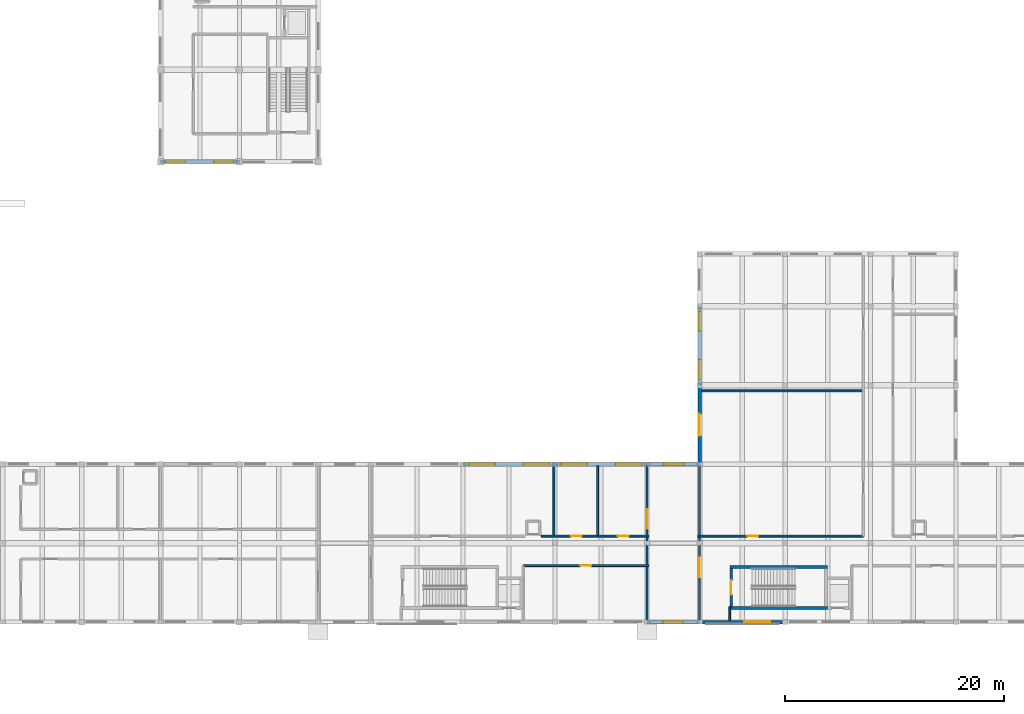
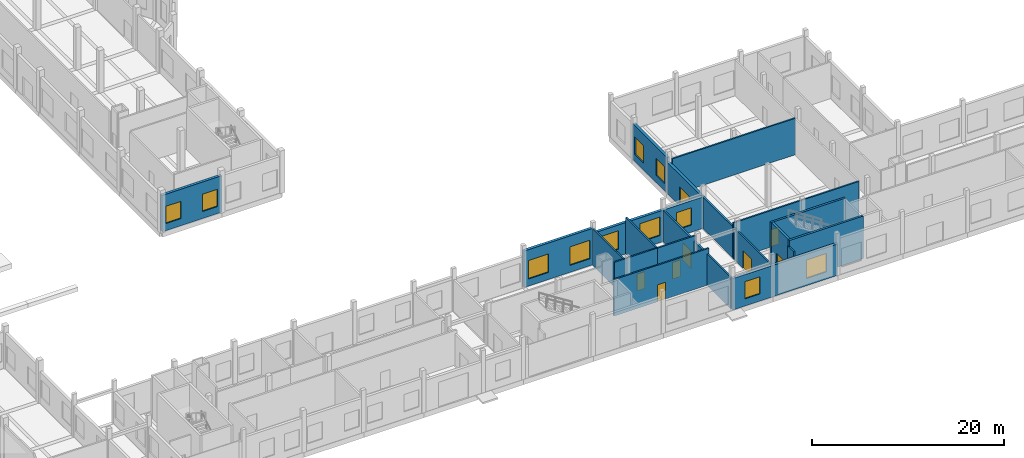
# One storey, part 20 of 41: 21 walls, 11 windows, 8 doors, 19 openings.
"""IFC4 building model written with IfcOpenShell, lengths in metres."""

from ifc_helpers import new_model, si_unit, direction, frame, frame_2d, origin, place, context, subcontext, project, spatial, rectangle, extrude, material, layer, layer_set, type_object, element, fill, save


model = new_model("IFC4")

# Units and contexts
model_context = context("Model", 3, precision=1e-05, world=origin(), true_north=direction((0.0, 1.0)))
body_context = subcontext(model_context, "Body", "Model", "MODEL_VIEW")
ifc_project = project(units=[si_unit("LENGTHUNIT", "METRE"), si_unit("AREAUNIT", "SQUARE_METRE"), si_unit("VOLUMEUNIT", "CUBIC_METRE"), si_unit("PLANEANGLEUNIT", "RADIAN"), si_unit("MASSUNIT", "GRAM", prefix="KILO")], contexts=[model_context])

# Site, building, storey
site_placement = place(None, origin())
site = spatial("IfcSite", under=ifc_project, at=site_placement, CompositionType="ELEMENT")
building_placement = place(site_placement, origin())
building = spatial("IfcBuilding", under=site, at=building_placement, Name="Kahlenmark Community Centre", CompositionType="ELEMENT")
storey_placement = place(building_placement, origin())
storey = spatial("IfcBuildingStorey", under=building, at=storey_placement, Name="L00", CompositionType="ELEMENT", Elevation=0.0)

# Wall, opening, door
ifc_material_1 = material(Name="Concrete C35/45", Category="concrete")
ifc_layer_1 = layer(ifc_material_1, 0.25)
ifc_layer_set_1 = layer_set([ifc_layer_1], Name="Concrete C35/45")
wall_type_1 = type_object("IfcWallType", Name="WT-CORE-250", PredefinedType="SHEAR", material=ifc_layer_set_1)
wall_1_placement = place(storey_placement, frame((124.47509765625, 13.699951171875, 0.0), z_axis=(0.0, 0.0, 1.0), x_axis=(0.0, -1.0, 0.0)))
wall_1 = element("IfcWall", 1, at=wall_1_placement, inside=storey, type_object=wall_type_1, Name="Core K8 shear wall WL-CORE-K8-L00-0288", PredefinedType="SHEAR", context=body_context, shape_type="SweptSolid", body=[
    extrude(rectangle(XDim=3.5, YDim=0.25, at=frame_2d((1.75, 0.0))), origin(), (0.0, 0.0, 1.0), 5.39990234375),
])
opening_1_placement = place(wall_1_placement, frame((1.10009765625, 0.0, -0.010009765625)))
opening_1 = element("IfcOpeningElement", 2, at=opening_1_placement, cuts=wall_1, Name="Opening FD-K8-L00", PredefinedType="OPENING", context=body_context, shape_type="SweptSolid", body=[
    extrude(rectangle(XDim=1.300048828125, YDim=2.159912109375, at=frame_2d((0.64990234375, 1.080078125))), frame((0.0, 0.135009765625, 0.0), z_axis=(0.0, -1.0, 0.0), x_axis=(1.0, 0.0, 0.0)), (0.0, 0.0, 1.0), 0.27001953125),
])
ifc_material_2 = material(Name="Fire-rated steel-framed timber door FD60S", Category="steel")
door_type_1 = type_object("IfcDoorType", Name="DT-FD-K8-L00", OperationType="NOTDEFINED", PredefinedType="DOOR", material=ifc_material_2)
door_1_placement = place(opening_1_placement, frame((0.0, 0.0, 0.010009765625)))
door_1 = element("IfcDoor", 3, at=door_1_placement, inside=storey, type_object=door_type_1, Name="Core K8 stair fire door L00", OperationType="SINGLE_SWING_RIGHT", OverallHeight=2.14990234375, OverallWidth=1.300048828125, PredefinedType="DOOR", context=body_context, shape_type="SweptSolid", body=[
    extrude(rectangle(XDim=1.300048828125, YDim=2.14990234375, at=frame_2d((0.64990234375, 1.074951171875))), frame((0.0, 0.02490234375, 0.0), z_axis=(0.0, -1.0, 0.0), x_axis=(1.0, 0.0, 0.0)), (0.0, 0.0, 1.0), 0.050048828125),
])
fill(opening_1, door_1)

# Walls
for number, where, z_axis, x_axis, name in (
    (4, (124.35009765625, 10.074951171875, 0.0), (0.0, 0.0, 1.0), (1.0, 0.0, 0.0), "Core K8 shear wall WL-CORE-K8-L00-0289"),
    (5, (124.35009765625, 13.824951171875, 0.0), (0.0, 0.0, 1.0), (1.0, 0.0, 0.0), "Core K8 shear wall WL-CORE-K8-L00-0290"),
):
    element("IfcWall", number, at=place(storey_placement, frame(where, z_axis=z_axis, x_axis=x_axis)), inside=storey, type_object=wall_type_1, Name=name, PredefinedType="SHEAR", context=body_context, shape_type="SweptSolid", body=[
        extrude(rectangle(XDim=8.89990234375, YDim=0.25, at=frame_2d((4.449951171875, 0.0))), origin(), (0.0, 0.0, 1.0), 5.39990234375),
    ])

# Wall, openings, windows
ifc_material_3 = material(Name="Danube limestone masonry", Category="masonry")
ifc_layer_2 = layer(ifc_material_3, 0.320068359375)
ifc_layer_set_2 = layer_set([ifc_layer_2], Name="Danube limestone masonry")
wall_type_2 = type_object("IfcWallType", Name="WT-EW-320", PredefinedType="SOLIDWALL", material=ifc_layer_set_2)
wall_2_placement = place(storey_placement, frame((72.39990234375, 50.800048828125, 0.0), z_axis=(0.0, 0.0, 1.0), x_axis=(1.0, 0.0, 0.0)))
wall_2 = element("IfcWall", 6, at=wall_2_placement, inside=storey, type_object=wall_type_2, Name="Exterior wall WL-EXT-L00-0202", PredefinedType="SOLIDWALL", context=body_context, shape_type="SweptSolid", body=[
    extrude(rectangle(XDim=7.2001953125, YDim=0.320068359375, at=frame_2d((3.60009765625, 0.0))), origin(), (0.0, 0.0, 1.0), 4.639892578125),
])
opening_2_placement = place(wall_2_placement, frame((0.4599609375, 0.0, 0.89990234375)))
opening_2 = element("IfcOpeningElement", 7, at=opening_2_placement, cuts=wall_2, Name="Opening W-180X220", PredefinedType="OPENING", context=body_context, shape_type="SweptSolid", body=[
    extrude(rectangle(XDim=1.800048828125, YDim=2.199951171875, at=frame_2d((0.89990234375, 1.10009765625))), frame((0.0, 0.169921875, 0.0), z_axis=(0.0, -1.0, 0.0), x_axis=(1.0, 0.0, 0.0)), (0.0, 0.0, 1.0), 0.340087890625),
])
opening_3_placement = place(wall_2_placement, frame((4.860107421875, 0.0, 0.89990234375)))
opening_3 = element("IfcOpeningElement", 8, at=opening_3_placement, cuts=wall_2, Name="Opening W-180X220", PredefinedType="OPENING", context=body_context, shape_type="SweptSolid", body=[
    extrude(rectangle(XDim=1.800048828125, YDim=2.199951171875, at=frame_2d((0.89990234375, 1.10009765625))), frame((0.0, 0.169921875, 0.0), z_axis=(0.0, -1.0, 0.0), x_axis=(1.0, 0.0, 0.0)), (0.0, 0.0, 1.0), 0.340087890625),
])
ifc_material_4 = material(Name="Triple low-e insulated glazing in timber-aluminium frame", Category="wood")
window_type_1 = type_object("IfcWindowType", Name="WNT-180X220", PartitioningType="DOUBLE_PANEL_VERTICAL", PredefinedType="WINDOW", material=ifc_material_4)
window_1_placement = place(opening_2_placement, origin())
window_1 = element("IfcWindow", 9, at=window_1_placement, inside=storey, type_object=window_type_1, Name="Window W-180X220 #0099", OverallHeight=2.199951171875, OverallWidth=1.800048828125, PartitioningType="DOUBLE_PANEL_VERTICAL", PredefinedType="WINDOW", context=body_context, shape_type="SweptSolid", body=[
    extrude(rectangle(XDim=1.800048828125, YDim=2.199951171875, at=frame_2d((0.89990234375, 1.10009765625))), frame((0.0, 0.030029296875, 0.0), z_axis=(0.0, -1.0, 0.0), x_axis=(1.0, 0.0, 0.0)), (0.0, 0.0, 1.0), 0.06005859375),
])
fill(opening_2, window_1)
window_2_placement = place(opening_3_placement, origin())
window_2 = element("IfcWindow", 10, at=window_2_placement, inside=storey, type_object=window_type_1, Name="Window W-180X220 #0100", OverallHeight=2.199951171875, OverallWidth=1.800048828125, PartitioningType="DOUBLE_PANEL_VERTICAL", PredefinedType="WINDOW", context=body_context, shape_type="SweptSolid", body=[
    extrude(rectangle(XDim=1.800048828125, YDim=2.199951171875, at=frame_2d((0.89990234375, 1.10009765625))), frame((0.0, 0.030029296875, 0.0), z_axis=(0.0, -1.0, 0.0), x_axis=(1.0, 0.0, 0.0)), (0.0, 0.0, 1.0), 0.06005859375),
])
fill(opening_3, window_2)

wall_3_placement = place(storey_placement, frame((108.39990234375, 23.199951171875, 0.0), z_axis=(0.0, 0.0, 1.0), x_axis=(-1.0, 0.0, 0.0)))
wall_3 = element("IfcWall", 11, at=wall_3_placement, inside=storey, type_object=wall_type_2, Name="Exterior wall WL-EXT-L00-0217", PredefinedType="SOLIDWALL", context=body_context, shape_type="SweptSolid", body=[
    extrude(rectangle(XDim=8.39990234375, YDim=0.320068359375, at=frame_2d((4.199951171875, 0.0))), origin(), (0.0, 0.0, 1.0), 4.639892578125),
])
opening_4_placement = place(wall_3_placement, frame((0.4599609375, 0.0, 0.89990234375)))
opening_4 = element("IfcOpeningElement", 12, at=opening_4_placement, cuts=wall_3, Name="Opening W-240X235", PredefinedType="OPENING", context=body_context, shape_type="SweptSolid", body=[
    extrude(rectangle(XDim=2.39990234375, YDim=2.35009765625, at=frame_2d((1.199951171875, 1.175048828125))), frame((0.0, 0.169921875, 0.0), z_axis=(0.0, -1.0, 0.0), x_axis=(1.0, 0.0, 0.0)), (0.0, 0.0, 1.0), 0.340087890625),
])
opening_5_placement = place(wall_3_placement, frame((5.4599609375, 0.0, 0.89990234375)))
opening_5 = element("IfcOpeningElement", 13, at=opening_5_placement, cuts=wall_3, Name="Opening W-240X235", PredefinedType="OPENING", context=body_context, shape_type="SweptSolid", body=[
    extrude(rectangle(XDim=2.39990234375, YDim=2.35009765625, at=frame_2d((1.199951171875, 1.175048828125))), frame((0.0, 0.169921875, 0.0), z_axis=(0.0, -1.0, 0.0), x_axis=(1.0, 0.0, 0.0)), (0.0, 0.0, 1.0), 0.340087890625),
])
window_type_2 = type_object("IfcWindowType", Name="WNT-240X235", PartitioningType="TRIPLE_PANEL_VERTICAL", PredefinedType="WINDOW", material=ifc_material_4)
window_3_placement = place(opening_4_placement, origin())
window_3 = element("IfcWindow", 14, at=window_3_placement, inside=storey, type_object=window_type_2, Name="Window W-240X235 #0123", OverallHeight=2.35009765625, OverallWidth=2.39990234375, PartitioningType="TRIPLE_PANEL_VERTICAL", PredefinedType="WINDOW", context=body_context, shape_type="SweptSolid", body=[
    extrude(rectangle(XDim=2.39990234375, YDim=2.35009765625, at=frame_2d((1.199951171875, 1.175048828125))), frame((0.0, 0.030029296875, 0.0), z_axis=(0.0, -1.0, 0.0), x_axis=(1.0, 0.0, 0.0)), (0.0, 0.0, 1.0), 0.06005859375),
])
fill(opening_4, window_3)
window_4_placement = place(opening_5_placement, origin())
window_4 = element("IfcWindow", 15, at=window_4_placement, inside=storey, type_object=window_type_2, Name="Window W-240X235 #0124", OverallHeight=2.35009765625, OverallWidth=2.39990234375, PartitioningType="TRIPLE_PANEL_VERTICAL", PredefinedType="WINDOW", context=body_context, shape_type="SweptSolid", body=[
    extrude(rectangle(XDim=2.39990234375, YDim=2.35009765625, at=frame_2d((1.199951171875, 1.175048828125))), frame((0.0, 0.030029296875, 0.0), z_axis=(0.0, -1.0, 0.0), x_axis=(1.0, 0.0, 0.0)), (0.0, 0.0, 1.0), 0.06005859375),
])
fill(opening_5, window_4)

wall_4_placement = place(storey_placement, frame((116.800048828125, 23.199951171875, 0.0), z_axis=(0.0, 0.0, 1.0), x_axis=(-1.0, 0.0, 0.0)))
wall_4 = element("IfcWall", 16, at=wall_4_placement, inside=storey, type_object=wall_type_2, Name="Exterior wall WL-EXT-L00-0218", PredefinedType="SOLIDWALL", context=body_context, shape_type="SweptSolid", body=[
    extrude(rectangle(XDim=8.400146484375, YDim=0.320068359375, at=frame_2d((4.2001953125, 0.0))), origin(), (0.0, 0.0, 1.0), 3.989990234375),
])
opening_6_placement = place(wall_4_placement, frame((0.4599609375, 0.0, 0.89990234375)))
opening_6 = element("IfcOpeningElement", 17, at=opening_6_placement, cuts=wall_4, Name="Opening W-240X235", PredefinedType="OPENING", context=body_context, shape_type="SweptSolid", body=[
    extrude(rectangle(XDim=2.39990234375, YDim=2.35009765625, at=frame_2d((1.199951171875, 1.175048828125))), frame((0.0, 0.169921875, 0.0), z_axis=(0.0, -1.0, 0.0), x_axis=(1.0, 0.0, 0.0)), (0.0, 0.0, 1.0), 0.340087890625),
])
opening_7_placement = place(wall_4_placement, frame((5.4599609375, 0.0, 0.89990234375)))
opening_7 = element("IfcOpeningElement", 18, at=opening_7_placement, cuts=wall_4, Name="Opening W-240X235", PredefinedType="OPENING", context=body_context, shape_type="SweptSolid", body=[
    extrude(rectangle(XDim=2.39990234375, YDim=2.35009765625, at=frame_2d((1.199951171875, 1.175048828125))), frame((0.0, 0.169921875, 0.0), z_axis=(0.0, -1.0, 0.0), x_axis=(1.0, 0.0, 0.0)), (0.0, 0.0, 1.0), 0.340087890625),
])
window_5_placement = place(opening_6_placement, origin())
window_5 = element("IfcWindow", 19, at=window_5_placement, inside=storey, type_object=window_type_2, Name="Window W-240X235 #0125", OverallHeight=2.35009765625, OverallWidth=2.39990234375, PartitioningType="TRIPLE_PANEL_VERTICAL", PredefinedType="WINDOW", context=body_context, shape_type="SweptSolid", body=[
    extrude(rectangle(XDim=2.39990234375, YDim=2.35009765625, at=frame_2d((1.199951171875, 1.175048828125))), frame((0.0, 0.030029296875, 0.0), z_axis=(0.0, -1.0, 0.0), x_axis=(1.0, 0.0, 0.0)), (0.0, 0.0, 1.0), 0.06005859375),
])
fill(opening_6, window_5)
window_6_placement = place(opening_7_placement, origin())
window_6 = element("IfcWindow", 20, at=window_6_placement, inside=storey, type_object=window_type_2, Name="Window W-240X235 #0126", OverallHeight=2.35009765625, OverallWidth=2.39990234375, PartitioningType="TRIPLE_PANEL_VERTICAL", PredefinedType="WINDOW", context=body_context, shape_type="SweptSolid", body=[
    extrude(rectangle(XDim=2.39990234375, YDim=2.35009765625, at=frame_2d((1.199951171875, 1.175048828125))), frame((0.0, 0.030029296875, 0.0), z_axis=(0.0, -1.0, 0.0), x_axis=(1.0, 0.0, 0.0)), (0.0, 0.0, 1.0), 0.06005859375),
])
fill(opening_7, window_6)

# Wall, opening, window
wall_5_placement = place(storey_placement, frame((121.60009765625, 8.800048828125, 0.0), z_axis=(0.0, 0.0, 1.0), x_axis=(1.0, 0.0, 0.0)))
wall_5 = element("IfcWall", 21, at=wall_5_placement, inside=storey, type_object=wall_type_2, Name="Exterior wall WL-EXT-L00-0219", PredefinedType="SOLIDWALL", context=body_context, shape_type="SweptSolid", body=[
    extrude(rectangle(XDim=7.7998046875, YDim=0.320068359375, at=frame_2d((3.89990234375, 0.0))), origin(), (0.0, 0.0, 1.0), 3.989990234375),
])
opening_8_placement = place(wall_5_placement, frame((4.06005859375, 0.0, 0.89990234375)))
opening_8 = element("IfcOpeningElement", 22, at=opening_8_placement, cuts=wall_5, Name="Opening W-240X235", PredefinedType="OPENING", context=body_context, shape_type="SweptSolid", body=[
    extrude(rectangle(XDim=2.39990234375, YDim=2.35009765625, at=frame_2d((1.199951171875, 1.175048828125))), frame((0.0, 0.169921875, 0.0), z_axis=(0.0, -1.0, 0.0), x_axis=(1.0, 0.0, 0.0)), (0.0, 0.0, 1.0), 0.340087890625),
])
window_7_placement = place(opening_8_placement, origin())
window_7 = element("IfcWindow", 23, at=window_7_placement, inside=storey, type_object=window_type_2, Name="Window W-240X235 #0127", OverallHeight=2.35009765625, OverallWidth=2.39990234375, PartitioningType="TRIPLE_PANEL_VERTICAL", PredefinedType="WINDOW", context=body_context, shape_type="SweptSolid", body=[
    extrude(rectangle(XDim=2.39990234375, YDim=2.35009765625, at=frame_2d((1.199951171875, 1.175048828125))), frame((0.0, 0.030029296875, 0.0), z_axis=(0.0, -1.0, 0.0), x_axis=(1.0, 0.0, 0.0)), (0.0, 0.0, 1.0), 0.06005859375),
])
fill(opening_8, window_7)

# Wall, opening, door
wall_6_placement = place(storey_placement, frame((121.60009765625, 30.39990234375, 0.0), z_axis=(0.0, 0.0, 1.0), x_axis=(0.0, -1.0, 0.0)))
wall_6 = element("IfcWall", 24, at=wall_6_placement, inside=storey, type_object=wall_type_2, Name="Exterior wall WL-EXT-L00-0233", PredefinedType="SOLIDWALL", context=body_context, shape_type="SweptSolid", body=[
    extrude(rectangle(XDim=7.199951171875, YDim=0.320068359375, at=frame_2d((3.60009765625, 0.0))), origin(), (0.0, 0.0, 1.0), 3.989990234375),
])
opening_9_placement = place(wall_6_placement, frame((2.60009765625, 0.0, -0.010009765625)))
opening_9 = element("IfcOpeningElement", 25, at=opening_9_placement, cuts=wall_6, Name="Opening D-E10", PredefinedType="OPENING", context=body_context, shape_type="SweptSolid", body=[
    extrude(rectangle(XDim=2.0, YDim=2.409912109375, at=frame_2d((1.0, 1.205078125))), frame((0.0, 0.169921875, 0.0), z_axis=(0.0, -1.0, 0.0), x_axis=(1.0, 0.0, 0.0)), (0.0, 0.0, 1.0), 0.340087890625),
])
ifc_material_5 = material(Name="Thermally broken glazed aluminium double entrance door", Category="aluminium")
door_type_2 = type_object("IfcDoorType", Name="DT-EXT-200X240", OperationType="NOTDEFINED", PredefinedType="DOOR", material=ifc_material_5)
door_2_placement = place(opening_9_placement, frame((0.0, 0.0, 0.010009765625)))
door_2 = element("IfcDoor", 26, at=door_2_placement, inside=storey, type_object=door_type_2, Name="Exterior door D-E10", OperationType="DOUBLE_SWING_LEFT", OverallHeight=2.39990234375, OverallWidth=2.0, PredefinedType="DOOR", context=body_context, shape_type="SweptSolid", body=[
    extrude(rectangle(XDim=2.0, YDim=2.39990234375, at=frame_2d((1.0, 1.199951171875))), frame((0.0, 0.02490234375, 0.0), z_axis=(0.0, -1.0, 0.0), x_axis=(1.0, 0.0, 0.0)), (0.0, 0.0, 1.0), 0.050048828125),
])
fill(opening_9, door_2)

# Wall, openings, windows
wall_7_placement = place(storey_placement, frame((121.60009765625, 37.60009765625, 0.0), z_axis=(0.0, 0.0, 1.0), x_axis=(0.0, -1.0, 0.0)))
wall_7 = element("IfcWall", 27, at=wall_7_placement, inside=storey, type_object=wall_type_2, Name="Exterior wall WL-EXT-L00-0234", PredefinedType="SOLIDWALL", context=body_context, shape_type="SweptSolid", body=[
    extrude(rectangle(XDim=7.2001953125, YDim=0.320068359375, at=frame_2d((3.60009765625, 0.0))), origin(), (0.0, 0.0, 1.0), 4.5400390625),
])
opening_10_placement = place(wall_7_placement, frame((0.4599609375, 0.0, 0.89990234375)))
opening_10 = element("IfcOpeningElement", 28, at=opening_10_placement, cuts=wall_7, Name="Opening W-180X220", PredefinedType="OPENING", context=body_context, shape_type="SweptSolid", body=[
    extrude(rectangle(XDim=1.800048828125, YDim=2.199951171875, at=frame_2d((0.89990234375, 1.10009765625))), frame((0.0, 0.169921875, 0.0), z_axis=(0.0, -1.0, 0.0), x_axis=(1.0, 0.0, 0.0)), (0.0, 0.0, 1.0), 0.340087890625),
])
opening_11_placement = place(wall_7_placement, frame((4.860107421875, 0.0, 0.89990234375)))
opening_11 = element("IfcOpeningElement", 29, at=opening_11_placement, cuts=wall_7, Name="Opening W-180X220", PredefinedType="OPENING", context=body_context, shape_type="SweptSolid", body=[
    extrude(rectangle(XDim=1.800048828125, YDim=2.199951171875, at=frame_2d((0.89990234375, 1.10009765625))), frame((0.0, 0.169921875, 0.0), z_axis=(0.0, -1.0, 0.0), x_axis=(1.0, 0.0, 0.0)), (0.0, 0.0, 1.0), 0.340087890625),
])
window_8_placement = place(opening_10_placement, origin())
window_8 = element("IfcWindow", 30, at=window_8_placement, inside=storey, type_object=window_type_1, Name="Window W-180X220 #0151", OverallHeight=2.199951171875, OverallWidth=1.800048828125, PartitioningType="DOUBLE_PANEL_VERTICAL", PredefinedType="WINDOW", context=body_context, shape_type="SweptSolid", body=[
    extrude(rectangle(XDim=1.800048828125, YDim=2.199951171875, at=frame_2d((0.89990234375, 1.10009765625))), frame((0.0, 0.030029296875, 0.0), z_axis=(0.0, -1.0, 0.0), x_axis=(1.0, 0.0, 0.0)), (0.0, 0.0, 1.0), 0.06005859375),
])
fill(opening_10, window_8)
window_9_placement = place(opening_11_placement, origin())
window_9 = element("IfcWindow", 31, at=window_9_placement, inside=storey, type_object=window_type_1, Name="Window W-180X220 #0152", OverallHeight=2.199951171875, OverallWidth=1.800048828125, PartitioningType="DOUBLE_PANEL_VERTICAL", PredefinedType="WINDOW", context=body_context, shape_type="SweptSolid", body=[
    extrude(rectangle(XDim=1.800048828125, YDim=2.199951171875, at=frame_2d((0.89990234375, 1.10009765625))), frame((0.0, 0.030029296875, 0.0), z_axis=(0.0, -1.0, 0.0), x_axis=(1.0, 0.0, 0.0)), (0.0, 0.0, 1.0), 0.06005859375),
])
fill(opening_11, window_9)

# Wall, opening, window
wall_8_placement = place(storey_placement, frame((116.800048828125, 8.800048828125, 0.0), z_axis=(0.0, 0.0, 1.0), x_axis=(1.0, 0.0, 0.0)))
wall_8 = element("IfcWall", 32, at=wall_8_placement, inside=storey, type_object=wall_type_2, Name="Exterior wall WL-EXT-L00-0243", PredefinedType="SOLIDWALL", context=body_context, shape_type="SweptSolid", body=[
    extrude(rectangle(XDim=4.800048828125, YDim=0.320068359375, at=frame_2d((2.39990234375, 0.0))), origin(), (0.0, 0.0, 1.0), 3.989990234375),
])
opening_12_placement = place(wall_8_placement, frame((1.4599609375, 0.0, 0.89990234375)))
opening_12 = element("IfcOpeningElement", 33, at=opening_12_placement, cuts=wall_8, Name="Opening W-180X220", PredefinedType="OPENING", context=body_context, shape_type="SweptSolid", body=[
    extrude(rectangle(XDim=1.800048828125, YDim=2.199951171875, at=frame_2d((0.89990234375, 1.10009765625))), frame((0.0, 0.169921875, 0.0), z_axis=(0.0, -1.0, 0.0), x_axis=(1.0, 0.0, 0.0)), (0.0, 0.0, 1.0), 0.340087890625),
])
window_10_placement = place(opening_12_placement, origin())
window_10 = element("IfcWindow", 34, at=window_10_placement, inside=storey, type_object=window_type_1, Name="Window W-180X220 #0163", OverallHeight=2.199951171875, OverallWidth=1.800048828125, PartitioningType="DOUBLE_PANEL_VERTICAL", PredefinedType="WINDOW", context=body_context, shape_type="SweptSolid", body=[
    extrude(rectangle(XDim=1.800048828125, YDim=2.199951171875, at=frame_2d((0.89990234375, 1.10009765625))), frame((0.0, 0.030029296875, 0.0), z_axis=(0.0, -1.0, 0.0), x_axis=(1.0, 0.0, 0.0)), (0.0, 0.0, 1.0), 0.06005859375),
])
fill(opening_12, window_10)

wall_9_placement = place(storey_placement, frame((121.60009765625, 23.199951171875, 0.0), z_axis=(0.0, 0.0, 1.0), x_axis=(-1.0, 0.0, 0.0)))
wall_9 = element("IfcWall", 35, at=wall_9_placement, inside=storey, type_object=wall_type_2, Name="Exterior wall WL-EXT-L00-0244", PredefinedType="SOLIDWALL", context=body_context, shape_type="SweptSolid", body=[
    extrude(rectangle(XDim=4.800048828125, YDim=0.320068359375, at=frame_2d((2.39990234375, 0.0))), origin(), (0.0, 0.0, 1.0), 3.989990234375),
])
opening_13_placement = place(wall_9_placement, frame((1.4599609375, 0.0, 0.89990234375)))
opening_13 = element("IfcOpeningElement", 36, at=opening_13_placement, cuts=wall_9, Name="Opening W-180X220", PredefinedType="OPENING", context=body_context, shape_type="SweptSolid", body=[
    extrude(rectangle(XDim=1.800048828125, YDim=2.199951171875, at=frame_2d((0.89990234375, 1.10009765625))), frame((0.0, 0.169921875, 0.0), z_axis=(0.0, -1.0, 0.0), x_axis=(1.0, 0.0, 0.0)), (0.0, 0.0, 1.0), 0.340087890625),
])
window_11_placement = place(opening_13_placement, origin())
window_11 = element("IfcWindow", 37, at=window_11_placement, inside=storey, type_object=window_type_1, Name="Window W-180X220 #0164", OverallHeight=2.199951171875, OverallWidth=1.800048828125, PartitioningType="DOUBLE_PANEL_VERTICAL", PredefinedType="WINDOW", context=body_context, shape_type="SweptSolid", body=[
    extrude(rectangle(XDim=1.800048828125, YDim=2.199951171875, at=frame_2d((0.89990234375, 1.10009765625))), frame((0.0, 0.030029296875, 0.0), z_axis=(0.0, -1.0, 0.0), x_axis=(1.0, 0.0, 0.0)), (0.0, 0.0, 1.0), 0.06005859375),
])
fill(opening_13, window_11)

# Wall, opening, door
ifc_material_6 = material(Name="Gypsum plasterboard partition", Category="gypsum")
ifc_layer_3 = layer(ifc_material_6, 0.179931640625)
ifc_layer_set_3 = layer_set([ifc_layer_3], Name="Gypsum plasterboard partition")
wall_type_3 = type_object("IfcWallType", Name="WT-PW-180", PredefinedType="PARTITIONING", material=ifc_layer_set_3)
wall_10_placement = place(storey_placement, frame((105.5, 13.949951171875, 0.0), z_axis=(0.0, 0.0, 1.0), x_axis=(1.0, 0.0, 0.0)))
wall_10 = element("IfcWall", 38, at=wall_10_placement, inside=storey, type_object=wall_type_3, Name="Interior partition WL-INT-L00-0046", PredefinedType="PARTITIONING", context=body_context, shape_type="SweptSolid", body=[
    extrude(rectangle(XDim=11.449951171875, YDim=0.179931640625, at=frame_2d((5.72509765625, 0.0))), origin(), (0.0, 0.0, 1.0), 4.639892578125),
])
opening_14_placement = place(wall_10_placement, frame((5.22509765625, 0.0, -0.010009765625)))
opening_14 = element("IfcOpeningElement", 39, at=opening_14_placement, cuts=wall_10, Name="Opening D-L00-031", PredefinedType="OPENING", context=body_context, shape_type="SweptSolid", body=[
    extrude(rectangle(XDim=1.0, YDim=2.159912109375, at=frame_2d((0.5, 1.080078125))), frame((0.0, 0.099853515625, 0.0), z_axis=(0.0, -1.0, 0.0), x_axis=(1.0, 0.0, 0.0)), (0.0, 0.0, 1.0), 0.199951171875),
])
ifc_material_7 = material(Name="Oak timber veneer door leaf", Category="wood")
door_type_3 = type_object("IfcDoorType", Name="DT-INT-100X215", OperationType="NOTDEFINED", PredefinedType="DOOR", material=ifc_material_7)
door_3_placement = place(opening_14_placement, frame((0.0, 0.0, 0.010009765625)))
door_3 = element("IfcDoor", 40, at=door_3_placement, inside=storey, type_object=door_type_3, Name="Interior door D-L00-031", OperationType="SINGLE_SWING_RIGHT", OverallHeight=2.14990234375, OverallWidth=1.0, PredefinedType="DOOR", context=body_context, shape_type="SweptSolid", body=[
    extrude(rectangle(XDim=1.0, YDim=2.14990234375, at=frame_2d((0.5, 1.074951171875))), frame((0.0, 0.02490234375, 0.0), z_axis=(0.0, -1.0, 0.0), x_axis=(1.0, 0.0, 0.0)), (0.0, 0.0, 1.0), 0.050048828125),
])
fill(opening_14, door_3)

wall_11_placement = place(storey_placement, frame((107.14990234375, 16.64990234375, 0.0), z_axis=(0.0, 0.0, 1.0), x_axis=(1.0, 0.0, 0.0)))
wall_11 = element("IfcWall", 41, at=wall_11_placement, inside=storey, type_object=wall_type_3, Name="Interior partition WL-INT-L00-0048", PredefinedType="PARTITIONING", context=body_context, shape_type="SweptSolid", body=[
    extrude(rectangle(XDim=5.150146484375, YDim=0.179931640625, at=frame_2d((2.5751953125, 0.0))), origin(), (0.0, 0.0, 1.0), 4.639892578125),
])
opening_15_placement = place(wall_11_placement, frame((2.697021484375, 0.0, -0.010009765625)))
opening_15 = element("IfcOpeningElement", 42, at=opening_15_placement, cuts=wall_11, Name="Opening D-L00-033", PredefinedType="OPENING", context=body_context, shape_type="SweptSolid", body=[
    extrude(rectangle(XDim=1.0, YDim=2.159912109375, at=frame_2d((0.5, 1.080078125))), frame((0.0, 0.099853515625, 0.0), z_axis=(0.0, -1.0, 0.0), x_axis=(1.0, 0.0, 0.0)), (0.0, 0.0, 1.0), 0.199951171875),
])
door_4_placement = place(opening_15_placement, frame((1.0, 0.0, 0.010009765625), z_axis=(0.0, 0.0, 1.0), x_axis=(-1.0, 0.0, 0.0)))
door_4 = element("IfcDoor", 43, at=door_4_placement, inside=storey, type_object=door_type_3, Name="Interior door D-L00-033", OperationType="SINGLE_SWING_RIGHT", OverallHeight=2.14990234375, OverallWidth=1.0, PredefinedType="DOOR", context=body_context, shape_type="SweptSolid", body=[
    extrude(rectangle(XDim=1.0, YDim=2.14990234375, at=frame_2d((0.5, 1.074951171875))), frame((0.0, 0.02490234375, 0.0), z_axis=(0.0, -1.0, 0.0), x_axis=(1.0, 0.0, 0.0)), (0.0, 0.0, 1.0), 0.050048828125),
])
fill(opening_15, door_4)

wall_12_placement = place(storey_placement, frame((112.300048828125, 16.64990234375, 0.0), z_axis=(0.0, 0.0, 1.0), x_axis=(1.0, 0.0, 0.0)))
wall_12 = element("IfcWall", 44, at=wall_12_placement, inside=storey, type_object=wall_type_3, Name="Interior partition WL-INT-L00-0049", PredefinedType="PARTITIONING", context=body_context, shape_type="SweptSolid", body=[
    extrude(rectangle(XDim=4.64990234375, YDim=0.179931640625, at=frame_2d((2.324951171875, 0.0))), origin(), (0.0, 0.0, 1.0), 4.639892578125),
])
opening_16_placement = place(wall_12_placement, frame((1.824951171875, 0.0, -0.010009765625)))
opening_16 = element("IfcOpeningElement", 45, at=opening_16_placement, cuts=wall_12, Name="Opening D-L00-034", PredefinedType="OPENING", context=body_context, shape_type="SweptSolid", body=[
    extrude(rectangle(XDim=1.0, YDim=2.159912109375, at=frame_2d((0.5, 1.080078125))), frame((0.0, 0.099853515625, 0.0), z_axis=(0.0, -1.0, 0.0), x_axis=(1.0, 0.0, 0.0)), (0.0, 0.0, 1.0), 0.199951171875),
])
door_5_placement = place(opening_16_placement, frame((0.0, 0.0, 0.010009765625)))
door_5 = element("IfcDoor", 46, at=door_5_placement, inside=storey, type_object=door_type_3, Name="Interior door D-L00-034", OperationType="SINGLE_SWING_LEFT", OverallHeight=2.14990234375, OverallWidth=1.0, PredefinedType="DOOR", context=body_context, shape_type="SweptSolid", body=[
    extrude(rectangle(XDim=1.0, YDim=2.14990234375, at=frame_2d((0.5, 1.074951171875))), frame((0.0, 0.02490234375, 0.0), z_axis=(0.0, -1.0, 0.0), x_axis=(1.0, 0.0, 0.0)), (0.0, 0.0, 1.0), 0.050048828125),
])
fill(opening_16, door_5)

# Walls
for number, where, z_axis, x_axis, name in (
    (47, (108.300048828125, 16.64990234375, 0.0), (0.0, 0.0, 1.0), (0.0, 1.0, 0.0), "Interior partition WL-INT-L00-0050"),
    (48, (112.300048828125, 16.64990234375, 0.0), (0.0, 0.0, 1.0), (0.0, 1.0, 0.0), "Interior partition WL-INT-L00-0051"),
):
    element("IfcWall", number, at=place(storey_placement, frame(where, z_axis=z_axis, x_axis=x_axis)), inside=storey, type_object=wall_type_3, Name=name, PredefinedType="PARTITIONING", context=body_context, shape_type="SweptSolid", body=[
        extrude(rectangle(XDim=6.400146484375, YDim=0.179931640625, at=frame_2d((3.2001953125, 0.0))), origin(), (0.0, 0.0, 1.0), 4.639892578125),
    ])
wall_13_placement = place(storey_placement, frame((124.35009765625, 8.9599609375, 0.0), z_axis=(0.0, 0.0, 1.0), x_axis=(0.0, 1.0, 0.0)))
element("IfcWall", 49, at=wall_13_placement, inside=storey, type_object=wall_type_3, Name="Interior partition WL-INT-L00-0054", PredefinedType="PARTITIONING", context=body_context, shape_type="SweptSolid", body=[
    extrude(rectangle(XDim=1.239990234375, YDim=0.179931640625, at=frame_2d((0.6201171875, 0.0))), origin(), (0.0, 0.0, 1.0), 4.639892578125),
])

# Wall, opening, door
wall_14_placement = place(storey_placement, frame((121.449951171875, 16.64990234375, 0.0), z_axis=(0.0, 0.0, 1.0), x_axis=(1.0, 0.0, 0.0)))
wall_14 = element("IfcWall", 50, at=wall_14_placement, inside=storey, type_object=wall_type_3, Name="Interior partition WL-INT-L00-0059", PredefinedType="PARTITIONING", context=body_context, shape_type="SweptSolid", body=[
    extrude(rectangle(XDim=15.10009765625, YDim=0.179931640625, at=frame_2d((7.550048828125, 0.0))), origin(), (0.0, 0.0, 1.0), 4.639892578125),
])
opening_17_placement = place(wall_14_placement, frame((4.511962890625, 0.0, -0.010009765625)))
opening_17 = element("IfcOpeningElement", 51, at=opening_17_placement, cuts=wall_14, Name="Opening D-L00-039", PredefinedType="OPENING", context=body_context, shape_type="SweptSolid", body=[
    extrude(rectangle(XDim=1.0, YDim=2.159912109375, at=frame_2d((0.5, 1.080078125))), frame((0.0, 0.099853515625, 0.0), z_axis=(0.0, -1.0, 0.0), x_axis=(1.0, 0.0, 0.0)), (0.0, 0.0, 1.0), 0.199951171875),
])
door_6_placement = place(opening_17_placement, frame((1.0, 0.0, 0.010009765625), z_axis=(0.0, 0.0, 1.0), x_axis=(-1.0, 0.0, 0.0)))
door_6 = element("IfcDoor", 52, at=door_6_placement, inside=storey, type_object=door_type_3, Name="Interior door D-L00-039", OperationType="SINGLE_SWING_RIGHT", OverallHeight=2.14990234375, OverallWidth=1.0, PredefinedType="DOOR", context=body_context, shape_type="SweptSolid", body=[
    extrude(rectangle(XDim=1.0, YDim=2.14990234375, at=frame_2d((0.5, 1.074951171875))), frame((0.0, 0.02490234375, 0.0), z_axis=(0.0, -1.0, 0.0), x_axis=(1.0, 0.0, 0.0)), (0.0, 0.0, 1.0), 0.050048828125),
])
fill(opening_17, door_6)

# Wall
wall_15_placement = place(storey_placement, frame((121.75, 29.89990234375, 0.0), z_axis=(0.0, 0.0, 1.0), x_axis=(1.0, 0.0, 0.0)))
element("IfcWall", 53, at=wall_15_placement, inside=storey, type_object=wall_type_3, Name="Interior partition WL-INT-L00-0062", PredefinedType="PARTITIONING", context=body_context, shape_type="SweptSolid", body=[
    extrude(rectangle(XDim=14.800048828125, YDim=0.179931640625, at=frame_2d((7.39990234375, 0.0))), origin(), (0.0, 0.0, 1.0), 4.639892578125),
])

# Wall, opening, door
ifc_material_8 = material(Name="Masonry blockwork", Category="masonry")
ifc_layer_4 = layer(ifc_material_8, 0.199951171875)
ifc_layer_set_4 = layer_set([ifc_layer_4], Name="Masonry blockwork")
wall_type_4 = type_object("IfcWallType", Name="WT-PW-200", PredefinedType="PARTITIONING", material=ifc_layer_set_4)
wall_16_placement = place(storey_placement, frame((116.800048828125, 8.949951171875, 0.0), z_axis=(0.0, 0.0, 1.0), x_axis=(0.0, 1.0, 0.0)))
wall_16 = element("IfcWall", 54, at=wall_16_placement, inside=storey, type_object=wall_type_4, Name="Interior partition WL-INT-L00-0052", PredefinedType="PARTITIONING", context=body_context, shape_type="SweptSolid", body=[
    extrude(rectangle(XDim=14.10009765625, YDim=0.199951171875, at=frame_2d((7.050048828125, 0.0))), origin(), (0.0, 0.0, 1.0), 3.989990234375),
])
opening_18_placement = place(wall_16_placement, frame((8.364013671875, 0.0, -0.010009765625)))
opening_18 = element("IfcOpeningElement", 55, at=opening_18_placement, cuts=wall_16, Name="Opening D-L00-035", PredefinedType="OPENING", context=body_context, shape_type="SweptSolid", body=[
    extrude(rectangle(XDim=1.800048828125, YDim=2.260009765625, at=frame_2d((0.89990234375, 1.1298828125))), frame((0.0, 0.10986328125, 0.0), z_axis=(0.0, -1.0, 0.0), x_axis=(1.0, 0.0, 0.0)), (0.0, 0.0, 1.0), 0.219970703125),
])
ifc_material_9 = material(Name="Fire-rated double corridor door FD60S")
door_type_4 = type_object("IfcDoorType", Name="DT-FD60-180X225", OperationType="NOTDEFINED", PredefinedType="DOOR", material=ifc_material_9)
door_7_placement = place(opening_18_placement, frame((0.0, 0.0, 0.010009765625)))
door_7 = element("IfcDoor", 56, at=door_7_placement, inside=storey, type_object=door_type_4, Name="Interior door D-L00-035", OperationType="DOUBLE_SWING_LEFT", OverallHeight=2.25, OverallWidth=1.800048828125, PredefinedType="DOOR", context=body_context, shape_type="SweptSolid", body=[
    extrude(rectangle(XDim=1.800048828125, YDim=2.25, at=frame_2d((0.89990234375, 1.125))), frame((0.0, 0.02490234375, 0.0), z_axis=(0.0, -1.0, 0.0), x_axis=(1.0, 0.0, 0.0)), (0.0, 0.0, 1.0), 0.050048828125),
])
fill(opening_18, door_7)

wall_17_placement = place(storey_placement, frame((121.60009765625, 8.949951171875, 0.0), z_axis=(0.0, 0.0, 1.0), x_axis=(0.0, 1.0, 0.0)))
wall_17 = element("IfcWall", 57, at=wall_17_placement, inside=storey, type_object=wall_type_4, Name="Interior partition WL-INT-L00-0053", PredefinedType="PARTITIONING", context=body_context, shape_type="SweptSolid", body=[
    extrude(rectangle(XDim=14.10009765625, YDim=0.199951171875, at=frame_2d((7.050048828125, 0.0))), origin(), (0.0, 0.0, 1.0), 3.989990234375),
])
opening_19_placement = place(wall_17_placement, frame((3.93603515625, 0.0, -0.010009765625)))
opening_19 = element("IfcOpeningElement", 58, at=opening_19_placement, cuts=wall_17, Name="Opening D-L00-036", PredefinedType="OPENING", context=body_context, shape_type="SweptSolid", body=[
    extrude(rectangle(XDim=1.800048828125, YDim=2.260009765625, at=frame_2d((0.89990234375, 1.1298828125))), frame((0.0, 0.10986328125, 0.0), z_axis=(0.0, -1.0, 0.0), x_axis=(1.0, 0.0, 0.0)), (0.0, 0.0, 1.0), 0.219970703125),
])
door_8_placement = place(opening_19_placement, frame((1.800048828125, 0.0, 0.010009765625), z_axis=(0.0, 0.0, 1.0), x_axis=(-1.0, 0.0, 0.0)))
door_8 = element("IfcDoor", 59, at=door_8_placement, inside=storey, type_object=door_type_4, Name="Interior door D-L00-036", OperationType="DOUBLE_SWING_LEFT", OverallHeight=2.25, OverallWidth=1.800048828125, PredefinedType="DOOR", context=body_context, shape_type="SweptSolid", body=[
    extrude(rectangle(XDim=1.800048828125, YDim=2.25, at=frame_2d((0.89990234375, 1.125))), frame((0.0, 0.02490234375, 0.0), z_axis=(0.0, -1.0, 0.0), x_axis=(1.0, 0.0, 0.0)), (0.0, 0.0, 1.0), 0.050048828125),
])
fill(opening_19, door_8)

save(model, "model.ifc")
